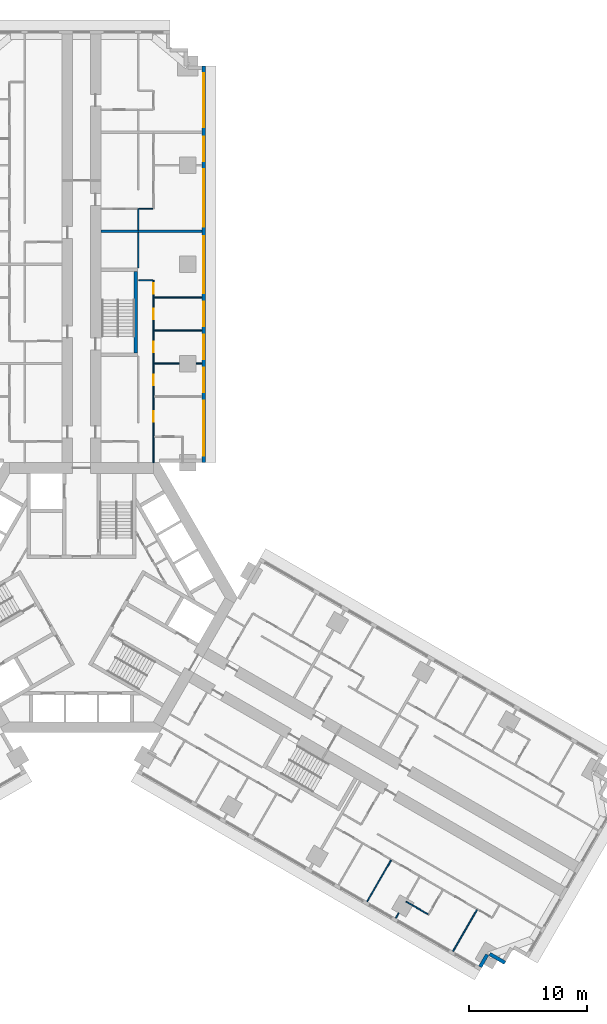
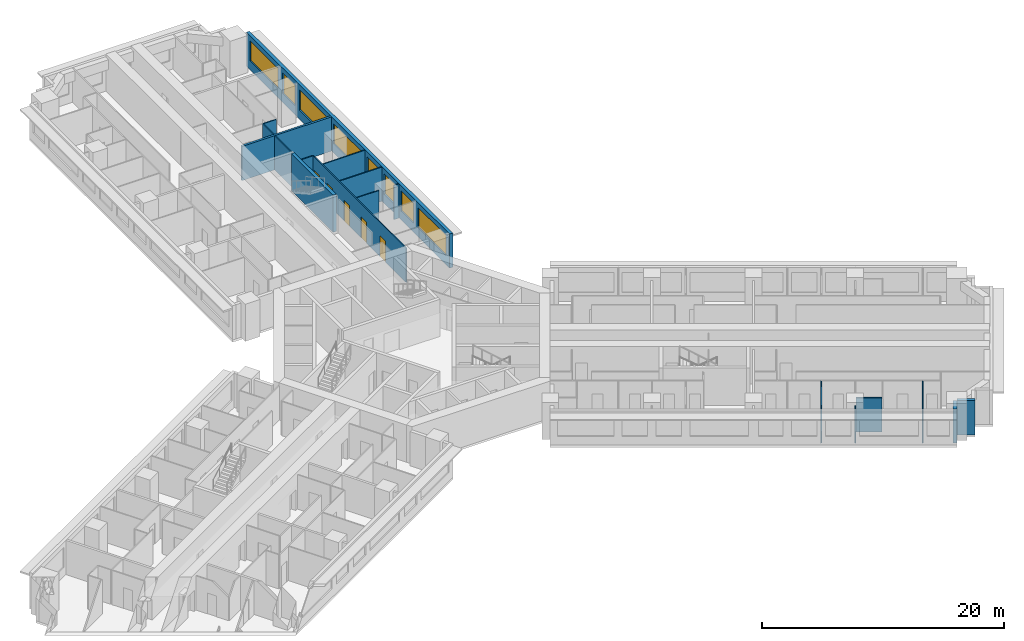
# One storey, part 9 of 14: 18 walls, 8 windows, 5 doors, 13 openings.
"""IFC4 building model written with IfcOpenShell, lengths in metres."""

import ifcopenshell
import ifcopenshell.guid

model = None  # the IFC model being written
_history = None  # IfcOwnerHistory: only IFC2X3 demands one
_inside = {}  # id of a spatial element -> (the spatial element, [elements in it])
_under = {}  # id of a project, library or spatial element -> (it, [spatial elements below it])
_declared = {}  # id of a project -> (the project, [libraries it declares])
_typed = {}  # id of a type object -> (the type object, [elements of that type])
_made_of = {}  # id of a material, layer set ... -> (it, [elements and type objects made of it])


def new_model(schema):
    """Start an empty IFC model of exactly this schema.

    Asked for "IFC4X3", IfcOpenShell would pick the latest addendum, in which some entities
    have other attributes; the version numbers below select the first issue.
    IFC2X3 requires an IfcOwnerHistory on every rooted entity: one is made here for all.
    """
    global model, _history
    if schema == "IFC4X3":
        model = ifcopenshell.file(schema_version=(4, 3, 0, 0))
    else:
        model = ifcopenshell.file(schema=schema)
    _inside.clear()
    _under.clear()
    _declared.clear()
    _typed.clear()
    _made_of.clear()
    _history = None
    if model.schema == "IFC2X3":
        org = make("IfcOrganization", Name="unknown")
        user = make(
            "IfcPersonAndOrganization",
            ThePerson=make("IfcPerson", FamilyName="unknown"),
            TheOrganization=org,
        )
        app = make(
            "IfcApplication",
            ApplicationDeveloper=org,
            Version="unknown",
            ApplicationFullName="unknown",
            ApplicationIdentifier="unknown",
        )
        _history = make(
            "IfcOwnerHistory",
            OwningUser=user,
            OwningApplication=app,
            ChangeAction="ADDED",
            CreationDate=0,
        )
    return model


def make(cls, **values):
    """One entity of the class cls with the attributes given. An attribute that is None is left unset."""
    return model.create_entity(
        cls, **{name: value for name, value in values.items() if value is not None}
    )


def rooted(cls, **values):
    """An entity with a GlobalId (a new one), such as an element, a storey or a relation."""
    return make(cls, GlobalId=ifcopenshell.guid.new(), OwnerHistory=_history, **values)


def si_unit(unit_type, name, prefix=None):
    """IfcSIUnit, for example si_unit("LENGTHUNIT", "METRE", prefix="MILLI")."""
    return make("IfcSIUnit", UnitType=unit_type, Prefix=prefix, Name=name)


def assignment(units):
    """IfcUnitAssignment: the units of a project."""
    return None if units is None else make("IfcUnitAssignment", Units=units)


def point(xyz):
    """IfcCartesianPoint."""
    return None if xyz is None else make("IfcCartesianPoint", Coordinates=xyz)


def direction(xyz):
    """IfcDirection."""
    return None if xyz is None else make("IfcDirection", DirectionRatios=xyz)


def frame(location, z_axis=None, x_axis=None):
    """IfcAxis2Placement3D, a coordinate frame: its origin and axes. An axis left out is left unset."""
    return make(
        "IfcAxis2Placement3D",
        Location=point(location),
        Axis=direction(z_axis),
        RefDirection=direction(x_axis),
    )


def frame_2d(location, x_axis=None):
    """IfcAxis2Placement2D, a coordinate frame in the plane: its origin and x axis."""
    return make(
        "IfcAxis2Placement2D", Location=point(location), RefDirection=direction(x_axis)
    )


def origin():
    """The frame at (0, 0, 0) with its axes left unset."""
    return frame((0.0, 0.0, 0.0))


def place(relative_to, where):
    """IfcLocalPlacement: puts the frame where relative to a parent placement (None: the world)."""
    return make(
        "IfcLocalPlacement", PlacementRelTo=relative_to, RelativePlacement=where
    )


def context(
    kind, dimensions, precision=None, world=None, true_north=None, identifier=None
):
    """IfcGeometricRepresentationContext, for example the 3D "Model" context."""
    return make(
        "IfcGeometricRepresentationContext",
        ContextIdentifier=identifier,
        ContextType=kind,
        CoordinateSpaceDimension=dimensions,
        Precision=precision,
        WorldCoordinateSystem=world,
        TrueNorth=true_north,
    )


def subcontext(parent, identifier, kind, view, scale=None):
    """IfcGeometricRepresentationSubContext, for example "Body" below "Model"."""
    return make(
        "IfcGeometricRepresentationSubContext",
        ContextIdentifier=identifier,
        ContextType=kind,
        ParentContext=parent,
        TargetScale=scale,
        TargetView=view,
    )


def project(units=None, contexts=None):
    """IfcProject with its units and contexts."""
    return rooted(
        "IfcProject",
        Name="project",
        RepresentationContexts=contexts,
        UnitsInContext=assignment(units),
    )


def spatial(cls, under=None, at=None, **own):
    """A site, building, storey or space (cls), placed at a placement, below another one or the project."""
    s = rooted(cls, ObjectPlacement=at, **own)
    if under is not None:
        _under.setdefault(under.id(), (under, []))[1].append(s)
    return s


def profile(cls, at=None, kind="AREA", **sizes):
    """A parametric profile (cls). Its sizes go by their IFC names, for example OverallWidth=200.0."""
    return make(cls, ProfileType=kind, Position=at, **sizes)


def rectangle(**sizes):
    """IfcRectangleProfileDef."""
    return profile("IfcRectangleProfileDef", **sizes)


def extrude(swept, where, along, depth):
    """IfcExtrudedAreaSolid: the profile swept, set in the frame where, extruded along a direction by depth."""
    return make(
        "IfcExtrudedAreaSolid",
        SweptArea=swept,
        Position=where,
        ExtrudedDirection=direction(along),
        Depth=depth,
    )


def shape(context_of_items, identifier, shape_type, items):
    """IfcShapeRepresentation: the items that make up one representation, for example the "Body"."""
    return make(
        "IfcShapeRepresentation",
        ContextOfItems=context_of_items,
        RepresentationIdentifier=identifier,
        RepresentationType=shape_type,
        Items=items,
    )


def material(Name=None, Category=None):
    """IfcMaterial."""
    return make("IfcMaterial", Name=Name, Category=Category)


def layer(
    of_material, thickness, ventilated=None, Name=None, Category=None, Priority=None
):
    """IfcMaterialLayer: one layer of a wall or slab, of a material (None: an air gap)."""
    return make(
        "IfcMaterialLayer",
        Material=of_material,
        LayerThickness=thickness,
        IsVentilated=ventilated,
        Name=Name,
        Category=Category,
        Priority=Priority,
    )


def layer_set(layers, Name=None):
    """IfcMaterialLayerSet."""
    return make("IfcMaterialLayerSet", MaterialLayers=layers, LayerSetName=Name)


def made_of(thing, what):
    """Note that an element or type object is made of a material, layer set ...; save() writes the relation."""
    if what is not None:
        _made_of.setdefault(what.id(), (what, []))[1].append(thing)
    return thing


def type_object(cls, material=None, **own):
    """A type object (cls), such as IfcWallType, which elements share."""
    return made_of(rooted(cls, **own), material)


def element(
    cls,
    number,
    at=None,
    inside=None,
    cuts=None,
    type_object=None,
    material=None,
    context=None,
    identifier="Body",
    shape_type=None,
    held_by="IfcProductDefinitionShape",
    body=None,
    shapes=None,
    **own,
):
    """One element of the class cls, such as IfcWall. Its Tag is "e" and its number.

    at: its placement. inside: the storey or other place that contains it. cuts: it is an
    opening in that element (IfcRelVoidsElement). A single representation is given by context,
    identifier, shape_type and body (its items); several are given by shapes. held_by: the class
    of the entity that holds the representations. save() writes the other relations.
    """
    e = rooted(cls, Tag="e%d" % number, ObjectPlacement=at, **own)
    if body is not None:
        shapes = [shape(context, identifier, shape_type, body)]
    if shapes is not None:
        e.Representation = make(held_by, Representations=shapes)
    if inside is not None:
        _inside.setdefault(inside.id(), (inside, []))[1].append(e)
    if cuts is not None:
        rooted(
            "IfcRelVoidsElement", RelatingBuildingElement=cuts, RelatedOpeningElement=e
        )
    if type_object is not None:
        _typed.setdefault(type_object.id(), (type_object, []))[1].append(e)
    return made_of(e, material)


def fill(opening, filler):
    """IfcRelFillsElement: the door or window that sits in an opening."""
    return rooted(
        "IfcRelFillsElement",
        RelatingOpeningElement=opening,
        RelatedBuildingElement=filler,
    )


def aggregate(whole, parts):
    """IfcRelAggregates: a whole, such as a stair, and the parts it consists of."""
    return rooted("IfcRelAggregates", RelatingObject=whole, RelatedObjects=parts)


def save(model, path):
    """Write the relations noted so far, then the file.

    IfcRelAggregates (storeys below a building ...), IfcRelContainedInSpatialStructure (elements
    in a storey), IfcRelDefinesByType, IfcRelAssociatesMaterial and IfcRelDeclares: one each for
    every whole, place, type object, material and project.
    """
    for whole, parts in _under.values():
        aggregate(whole, parts)
    for where, things in _inside.values():
        rooted(
            "IfcRelContainedInSpatialStructure",
            RelatedElements=things,
            RelatingStructure=where,
        )
    for kind, things in _typed.values():
        rooted("IfcRelDefinesByType", RelatedObjects=things, RelatingType=kind)
    for what, things in _made_of.values():
        rooted("IfcRelAssociatesMaterial", RelatedObjects=things, RelatingMaterial=what)
    for by, libraries in _declared.values():
        rooted("IfcRelDeclares", RelatingContext=by, RelatedDefinitions=libraries)
    model.write(path)


model = new_model("IFC4")

# Units and contexts
model_context = context("Model", 3, precision=1e-05, world=origin(), true_north=direction((0.0, 1.0)))
body_context = subcontext(model_context, "Body", "Model", "MODEL_VIEW")
ifc_project = project(units=[si_unit("LENGTHUNIT", "METRE"), si_unit("AREAUNIT", "SQUARE_METRE"), si_unit("VOLUMEUNIT", "CUBIC_METRE"), si_unit("PLANEANGLEUNIT", "RADIAN"), si_unit("MASSUNIT", "GRAM", prefix="KILO")], contexts=[model_context])

# Site, building, storey
site_placement = place(None, origin())
site = spatial("IfcSite", under=ifc_project, at=site_placement, CompositionType="ELEMENT")
building_placement = place(site_placement, origin())
building = spatial("IfcBuilding", under=site, at=building_placement, Name="Impinga Residences", CompositionType="ELEMENT")
storey_placement = place(building_placement, frame((0.0, 0.0, 89.75)))
storey = spatial("IfcBuildingStorey", under=building, at=storey_placement, Name="L22", CompositionType="ELEMENT", Elevation=89.75)

# Wall, openings, windows
ifc_material_1 = material(Name="Terracotta rainscreen on blockwork", Category="masonry")
ifc_layer_1 = layer(ifc_material_1, 0.300048828125)
ifc_layer_set_1 = layer_set([ifc_layer_1], Name="EW1 external wall, terracotta rainscreen on blockwork 300")
wall_type_1 = type_object("IfcWallType", Name="EW1 external wall, terracotta rainscreen on blockwork 300", PredefinedType="SOLIDWALL", material=ifc_layer_set_1)
wall_1_placement = place(storey_placement, frame((10.35009765625, 45.031494140625, 0.0), z_axis=(0.0, 0.0, 1.0), x_axis=(0.0, -1.0, 0.0)))
wall_1 = element("IfcWall", 1, at=wall_1_placement, inside=storey, type_object=wall_type_1, Name="External wall EW1 L22", PredefinedType="SOLIDWALL", context=body_context, shape_type="SweptSolid", body=[
    extrude(rectangle(XDim=33.599853515625, YDim=0.300048828125, at=frame_2d((16.7998046875, 0.0))), origin(), (0.0, 0.0, 1.0), 3.449951171875),
])
opening_1_placement = place(wall_1_placement, frame((0.60009765625, 0.0, 0.89990234375)))
opening_1 = element("IfcOpeningElement", 2, at=opening_1_placement, cuts=wall_1, Name="Opening W3", PredefinedType="OPENING", context=body_context, shape_type="SweptSolid", body=[
    extrude(rectangle(XDim=4.60009765625, YDim=2.050048828125, at=frame_2d((2.300048828125, 1.02490234375))), frame((0.0, 0.159912109375, 0.0), z_axis=(0.0, -1.0, 0.0), x_axis=(1.0, 0.0, 0.0)), (0.0, 0.0, 1.0), 0.320068359375),
])
opening_2_placement = place(wall_1_placement, frame((6.0, 0.0, 0.89990234375)))
opening_2 = element("IfcOpeningElement", 3, at=opening_2_placement, cuts=wall_1, Name="Opening W14", PredefinedType="OPENING", context=body_context, shape_type="SweptSolid", body=[
    extrude(rectangle(XDim=2.050048828125, YDim=2.050048828125, at=frame_2d((1.02490234375, 1.02490234375))), frame((0.0, 0.159912109375, 0.0), z_axis=(0.0, -1.0, 0.0), x_axis=(1.0, 0.0, 0.0)), (0.0, 0.0, 1.0), 0.320068359375),
])
opening_3_placement = place(wall_1_placement, frame((8.75, 0.0, 0.89990234375)))
opening_3 = element("IfcOpeningElement", 4, at=opening_3_placement, cuts=wall_1, Name="Opening W6", PredefinedType="OPENING", context=body_context, shape_type="SweptSolid", body=[
    extrude(rectangle(XDim=4.85009765625, YDim=2.050048828125, at=frame_2d((2.425048828125, 1.02490234375))), frame((0.0, 0.159912109375, 0.0), z_axis=(0.0, -1.0, 0.0), x_axis=(1.0, 0.0, 0.0)), (0.0, 0.0, 1.0), 0.320068359375),
])
opening_4_placement = place(wall_1_placement, frame((14.39990234375, 0.0, 0.89990234375)))
opening_4 = element("IfcOpeningElement", 5, at=opening_4_placement, cuts=wall_1, Name="Opening W6", PredefinedType="OPENING", context=body_context, shape_type="SweptSolid", body=[
    extrude(rectangle(XDim=4.85009765625, YDim=2.050048828125, at=frame_2d((2.425048828125, 1.02490234375))), frame((0.0, 0.159912109375, 0.0), z_axis=(0.0, -1.0, 0.0), x_axis=(1.0, 0.0, 0.0)), (0.0, 0.0, 1.0), 0.320068359375),
])
opening_5_placement = place(wall_1_placement, frame((19.949951171875, 0.0, 0.89990234375)))
opening_5 = element("IfcOpeningElement", 6, at=opening_5_placement, cuts=wall_1, Name="Opening W9", PredefinedType="OPENING", context=body_context, shape_type="SweptSolid", body=[
    extrude(rectangle(XDim=2.10009765625, YDim=2.050048828125, at=frame_2d((1.050048828125, 1.02490234375))), frame((0.0, 0.159912109375, 0.0), z_axis=(0.0, -1.0, 0.0), x_axis=(1.0, 0.0, 0.0)), (0.0, 0.0, 1.0), 0.320068359375),
])
opening_6_placement = place(wall_1_placement, frame((22.75, 0.0, 0.89990234375)))
opening_6 = element("IfcOpeningElement", 7, at=opening_6_placement, cuts=wall_1, Name="Opening W9", PredefinedType="OPENING", context=body_context, shape_type="SweptSolid", body=[
    extrude(rectangle(XDim=2.10009765625, YDim=2.050048828125, at=frame_2d((1.050048828125, 1.02490234375))), frame((0.0, 0.159912109375, 0.0), z_axis=(0.0, -1.0, 0.0), x_axis=(1.0, 0.0, 0.0)), (0.0, 0.0, 1.0), 0.320068359375),
])
opening_7_placement = place(wall_1_placement, frame((25.550048828125, 0.0, 0.89990234375)))
opening_7 = element("IfcOpeningElement", 8, at=opening_7_placement, cuts=wall_1, Name="Opening W9", PredefinedType="OPENING", context=body_context, shape_type="SweptSolid", body=[
    extrude(rectangle(XDim=2.10009765625, YDim=2.050048828125, at=frame_2d((1.050048828125, 1.02490234375))), frame((0.0, 0.159912109375, 0.0), z_axis=(0.0, -1.0, 0.0), x_axis=(1.0, 0.0, 0.0)), (0.0, 0.0, 1.0), 0.320068359375),
])
opening_8_placement = place(wall_1_placement, frame((28.35009765625, 0.0, 0.89990234375)))
opening_8 = element("IfcOpeningElement", 9, at=opening_8_placement, cuts=wall_1, Name="Opening W10", PredefinedType="OPENING", context=body_context, shape_type="SweptSolid", body=[
    extrude(rectangle(XDim=4.64990234375, YDim=2.050048828125, at=frame_2d((2.324951171875, 1.02490234375))), frame((0.0, 0.159912109375, 0.0), z_axis=(0.0, -1.0, 0.0), x_axis=(1.0, 0.0, 0.0)), (0.0, 0.0, 1.0), 0.320068359375),
])
ifc_material_2 = material(Name="Aluminium window, clear double glazing", Category="aluminium")
window_type_1 = type_object("IfcWindowType", Name="W10 ribbon window 4650x2050", PartitioningType="SINGLE_PANEL", PredefinedType="WINDOW", material=ifc_material_2)
window_1_placement = place(opening_8_placement, origin())
window_1 = element("IfcWindow", 10, at=window_1_placement, inside=storey, type_object=window_type_1, Name="Window L22", OverallHeight=2.050048828125, OverallWidth=4.64990234375, PartitioningType="SINGLE_PANEL", PredefinedType="WINDOW", context=body_context, shape_type="SweptSolid", body=[
    extrude(rectangle(XDim=4.64990234375, YDim=2.050048828125, at=frame_2d((2.324951171875, 1.02490234375))), frame((0.0, 0.030029296875, 0.0), z_axis=(0.0, -1.0, 0.0), x_axis=(1.0, 0.0, 0.0)), (0.0, 0.0, 1.0), 0.06005859375),
])
fill(opening_8, window_1)
window_type_2 = type_object("IfcWindowType", Name="W14 ribbon window 2050x2050", PartitioningType="SINGLE_PANEL", PredefinedType="WINDOW", material=ifc_material_2)
window_2_placement = place(opening_2_placement, origin())
window_2 = element("IfcWindow", 11, at=window_2_placement, inside=storey, type_object=window_type_2, Name="Window L22", OverallHeight=2.050048828125, OverallWidth=2.050048828125, PartitioningType="SINGLE_PANEL", PredefinedType="WINDOW", context=body_context, shape_type="SweptSolid", body=[
    extrude(rectangle(XDim=2.050048828125, YDim=2.050048828125, at=frame_2d((1.02490234375, 1.02490234375))), frame((0.0, 0.030029296875, 0.0), z_axis=(0.0, -1.0, 0.0), x_axis=(1.0, 0.0, 0.0)), (0.0, 0.0, 1.0), 0.06005859375),
])
fill(opening_2, window_2)
window_type_3 = type_object("IfcWindowType", Name="W3 ribbon window 4600x2050", PartitioningType="SINGLE_PANEL", PredefinedType="WINDOW", material=ifc_material_2)
window_3_placement = place(opening_1_placement, origin())
window_3 = element("IfcWindow", 12, at=window_3_placement, inside=storey, type_object=window_type_3, Name="Window L22", OverallHeight=2.050048828125, OverallWidth=4.60009765625, PartitioningType="SINGLE_PANEL", PredefinedType="WINDOW", context=body_context, shape_type="SweptSolid", body=[
    extrude(rectangle(XDim=4.60009765625, YDim=2.050048828125, at=frame_2d((2.300048828125, 1.02490234375))), frame((0.0, 0.030029296875, 0.0), z_axis=(0.0, -1.0, 0.0), x_axis=(1.0, 0.0, 0.0)), (0.0, 0.0, 1.0), 0.06005859375),
])
fill(opening_1, window_3)
window_type_4 = type_object("IfcWindowType", Name="W6 ribbon window 4850x2050", PartitioningType="SINGLE_PANEL", PredefinedType="WINDOW", material=ifc_material_2)
window_4_placement = place(opening_3_placement, origin())
window_4 = element("IfcWindow", 13, at=window_4_placement, inside=storey, type_object=window_type_4, Name="Window L22", OverallHeight=2.050048828125, OverallWidth=4.85009765625, PartitioningType="SINGLE_PANEL", PredefinedType="WINDOW", context=body_context, shape_type="SweptSolid", body=[
    extrude(rectangle(XDim=4.85009765625, YDim=2.050048828125, at=frame_2d((2.425048828125, 1.02490234375))), frame((0.0, 0.030029296875, 0.0), z_axis=(0.0, -1.0, 0.0), x_axis=(1.0, 0.0, 0.0)), (0.0, 0.0, 1.0), 0.06005859375),
])
fill(opening_3, window_4)
window_5_placement = place(opening_4_placement, origin())
window_5 = element("IfcWindow", 14, at=window_5_placement, inside=storey, type_object=window_type_4, Name="Window L22", OverallHeight=2.050048828125, OverallWidth=4.85009765625, PartitioningType="SINGLE_PANEL", PredefinedType="WINDOW", context=body_context, shape_type="SweptSolid", body=[
    extrude(rectangle(XDim=4.85009765625, YDim=2.050048828125, at=frame_2d((2.425048828125, 1.02490234375))), frame((0.0, 0.030029296875, 0.0), z_axis=(0.0, -1.0, 0.0), x_axis=(1.0, 0.0, 0.0)), (0.0, 0.0, 1.0), 0.06005859375),
])
fill(opening_4, window_5)
window_type_5 = type_object("IfcWindowType", Name="W9 ribbon window 2100x2050", PartitioningType="SINGLE_PANEL", PredefinedType="WINDOW", material=ifc_material_2)
window_6_placement = place(opening_5_placement, origin())
window_6 = element("IfcWindow", 15, at=window_6_placement, inside=storey, type_object=window_type_5, Name="Window L22", OverallHeight=2.050048828125, OverallWidth=2.10009765625, PartitioningType="SINGLE_PANEL", PredefinedType="WINDOW", context=body_context, shape_type="SweptSolid", body=[
    extrude(rectangle(XDim=2.10009765625, YDim=2.050048828125, at=frame_2d((1.050048828125, 1.02490234375))), frame((0.0, 0.030029296875, 0.0), z_axis=(0.0, -1.0, 0.0), x_axis=(1.0, 0.0, 0.0)), (0.0, 0.0, 1.0), 0.06005859375),
])
fill(opening_5, window_6)
window_7_placement = place(opening_6_placement, origin())
window_7 = element("IfcWindow", 16, at=window_7_placement, inside=storey, type_object=window_type_5, Name="Window L22", OverallHeight=2.050048828125, OverallWidth=2.10009765625, PartitioningType="SINGLE_PANEL", PredefinedType="WINDOW", context=body_context, shape_type="SweptSolid", body=[
    extrude(rectangle(XDim=2.10009765625, YDim=2.050048828125, at=frame_2d((1.050048828125, 1.02490234375))), frame((0.0, 0.030029296875, 0.0), z_axis=(0.0, -1.0, 0.0), x_axis=(1.0, 0.0, 0.0)), (0.0, 0.0, 1.0), 0.06005859375),
])
fill(opening_6, window_7)
window_8_placement = place(opening_7_placement, origin())
window_8 = element("IfcWindow", 17, at=window_8_placement, inside=storey, type_object=window_type_5, Name="Window L22", OverallHeight=2.050048828125, OverallWidth=2.10009765625, PartitioningType="SINGLE_PANEL", PredefinedType="WINDOW", context=body_context, shape_type="SweptSolid", body=[
    extrude(rectangle(XDim=2.10009765625, YDim=2.050048828125, at=frame_2d((1.050048828125, 1.02490234375))), frame((0.0, 0.030029296875, 0.0), z_axis=(0.0, -1.0, 0.0), x_axis=(1.0, 0.0, 0.0)), (0.0, 0.0, 1.0), 0.06005859375),
])
fill(opening_7, window_8)

# Walls
wall_2_placement = place(storey_placement, frame((35.87255859375, -30.93017578125, 0.0), z_axis=(0.0, 0.0, 1.0), x_axis=(-0.866031096941, 0.499990139034, 0.0)))
element("IfcWall", 18, at=wall_2_placement, inside=storey, type_object=wall_type_1, Name="External wall EW1 L22", PredefinedType="SOLIDWALL", context=body_context, shape_type="SweptSolid", body=[
    extrude(rectangle(XDim=1.5, YDim=0.300048828125, at=frame_2d((0.75, 0.0))), origin(), (0.0, 0.0, 1.0), 3.449951171875),
])
wall_3_placement = place(storey_placement, frame((34.365966796875, -30.2392578125, 0.0), z_axis=(0.0, 0.0, 1.0), x_axis=(-0.499940577336, -0.866059708757, 0.0)))
element("IfcWall", 19, at=wall_3_placement, inside=storey, type_object=wall_type_1, Name="External wall EW1 L22", PredefinedType="SOLIDWALL", context=body_context, shape_type="SweptSolid", body=[
    extrude(rectangle(XDim=1.195068359375, YDim=0.300048828125, at=frame_2d((0.59765625, 0.0))), origin(), (0.0, 0.0, 1.0), 3.449951171875),
])
ifc_material_3 = material(Name="Gypsum board on steel studs", Category="steel")
ifc_layer_2 = layer(ifc_material_3, 0.10009765625)
ifc_layer_set_2 = layer_set([ifc_layer_2], Name="Gypsum board on steel studs")
wall_type_2 = type_object("IfcWallType", Name="IP1 partition 100", PredefinedType="PARTITIONING", material=ifc_layer_set_2)
wall_4_placement = place(storey_placement, frame((4.800048828125, 27.931640625, 0.0), z_axis=(0.0, 0.0, 1.0), x_axis=(0.0, 1.0, 0.0)))
element("IfcWall", 20, at=wall_4_placement, inside=storey, type_object=wall_type_2, Name="Partition L22-NF1:DIV2", PredefinedType="PARTITIONING", context=body_context, shape_type="SweptSolid", body=[
    extrude(rectangle(XDim=3.0, YDim=0.10009765625, at=frame_2d((1.5, 0.0))), origin(), (0.0, 0.0, 1.0), 3.449951171875),
])

# Wall, openings, doors
wall_5_placement = place(storey_placement, frame((6.10009765625, 11.431640625, 0.0), z_axis=(0.0, 0.0, 1.0), x_axis=(0.0, 1.0, 0.0)))
wall_5 = element("IfcWall", 21, at=wall_5_placement, inside=storey, type_object=wall_type_2, Name="Partition L22-NF1:STRIP", PredefinedType="PARTITIONING", context=body_context, shape_type="SweptSolid", body=[
    extrude(rectangle(XDim=15.449951171875, YDim=0.10009765625, at=frame_2d((7.72509765625, 0.0))), origin(), (0.0, 0.0, 1.0), 3.449951171875),
])
opening_9_placement = place(wall_5_placement, frame((3.449951171875, 0.0, 0.0)))
opening_9 = element("IfcOpeningElement", 22, at=opening_9_placement, cuts=wall_5, Name="Opening D2", PredefinedType="OPENING", context=body_context, shape_type="SweptSolid", body=[
    extrude(rectangle(XDim=0.89990234375, YDim=2.10009765625, at=frame_2d((0.449951171875, 1.050048828125))), frame((0.0, 0.06005859375, 0.0), z_axis=(0.0, -1.0, 0.0), x_axis=(1.0, 0.0, 0.0)), (0.0, 0.0, 1.0), 0.1201171875),
])
opening_10_placement = place(wall_5_placement, frame((6.550048828125, 0.0, 0.0)))
opening_10 = element("IfcOpeningElement", 23, at=opening_10_placement, cuts=wall_5, Name="Opening D2", PredefinedType="OPENING", context=body_context, shape_type="SweptSolid", body=[
    extrude(rectangle(XDim=0.89990234375, YDim=2.10009765625, at=frame_2d((0.449951171875, 1.050048828125))), frame((0.0, 0.06005859375, 0.0), z_axis=(0.0, -1.0, 0.0), x_axis=(1.0, 0.0, 0.0)), (0.0, 0.0, 1.0), 0.1201171875),
])
opening_11_placement = place(wall_5_placement, frame((9.35009765625, 0.0, 0.0)))
opening_11 = element("IfcOpeningElement", 24, at=opening_11_placement, cuts=wall_5, Name="Opening D2", PredefinedType="OPENING", context=body_context, shape_type="SweptSolid", body=[
    extrude(rectangle(XDim=0.89990234375, YDim=2.10009765625, at=frame_2d((0.449951171875, 1.050048828125))), frame((0.0, 0.06005859375, 0.0), z_axis=(0.0, -1.0, 0.0), x_axis=(1.0, 0.0, 0.0)), (0.0, 0.0, 1.0), 0.1201171875),
])
opening_12_placement = place(wall_5_placement, frame((12.14990234375, 0.0, 0.0)))
opening_12 = element("IfcOpeningElement", 25, at=opening_12_placement, cuts=wall_5, Name="Opening D2", PredefinedType="OPENING", context=body_context, shape_type="SweptSolid", body=[
    extrude(rectangle(XDim=0.89990234375, YDim=2.10009765625, at=frame_2d((0.449951171875, 1.050048828125))), frame((0.0, 0.06005859375, 0.0), z_axis=(0.0, -1.0, 0.0), x_axis=(1.0, 0.0, 0.0)), (0.0, 0.0, 1.0), 0.1201171875),
])
opening_13_placement = place(wall_5_placement, frame((14.300048828125, 0.0, 0.0)))
opening_13 = element("IfcOpeningElement", 26, at=opening_13_placement, cuts=wall_5, Name="Opening D2", PredefinedType="OPENING", context=body_context, shape_type="SweptSolid", body=[
    extrude(rectangle(XDim=0.89990234375, YDim=2.10009765625, at=frame_2d((0.449951171875, 1.050048828125))), frame((0.0, 0.06005859375, 0.0), z_axis=(0.0, -1.0, 0.0), x_axis=(1.0, 0.0, 0.0)), (0.0, 0.0, 1.0), 0.1201171875),
])
ifc_material_4 = material(Name="Timber door set", Category="wood")
door_type = type_object("IfcDoorType", Name="D2 internal door 900x2100", OperationType="SINGLE_SWING_LEFT", PredefinedType="DOOR", material=ifc_material_4)
door_1_placement = place(opening_9_placement, origin())
door_1 = element("IfcDoor", 27, at=door_1_placement, inside=storey, type_object=door_type, Name="Apartment L22-NF1 room door", OperationType="SINGLE_SWING_LEFT", OverallHeight=2.10009765625, OverallWidth=0.89990234375, PredefinedType="DOOR", context=body_context, shape_type="SweptSolid", body=[
    extrude(rectangle(XDim=0.89990234375, YDim=2.10009765625, at=frame_2d((0.449951171875, 1.050048828125))), frame((0.0, 0.02490234375, 0.0), z_axis=(0.0, -1.0, 0.0), x_axis=(1.0, 0.0, 0.0)), (0.0, 0.0, 1.0), 0.050048828125),
])
fill(opening_9, door_1)
door_2_placement = place(opening_10_placement, origin())
door_2 = element("IfcDoor", 28, at=door_2_placement, inside=storey, type_object=door_type, Name="Apartment L22-NF1 room door", OperationType="SINGLE_SWING_LEFT", OverallHeight=2.10009765625, OverallWidth=0.89990234375, PredefinedType="DOOR", context=body_context, shape_type="SweptSolid", body=[
    extrude(rectangle(XDim=0.89990234375, YDim=2.10009765625, at=frame_2d((0.449951171875, 1.050048828125))), frame((0.0, 0.02490234375, 0.0), z_axis=(0.0, -1.0, 0.0), x_axis=(1.0, 0.0, 0.0)), (0.0, 0.0, 1.0), 0.050048828125),
])
fill(opening_10, door_2)
door_3_placement = place(opening_11_placement, origin())
door_3 = element("IfcDoor", 29, at=door_3_placement, inside=storey, type_object=door_type, Name="Apartment L22-NF1 room door", OperationType="SINGLE_SWING_RIGHT", OverallHeight=2.10009765625, OverallWidth=0.89990234375, PredefinedType="DOOR", context=body_context, shape_type="SweptSolid", body=[
    extrude(rectangle(XDim=0.89990234375, YDim=2.10009765625, at=frame_2d((0.449951171875, 1.050048828125))), frame((0.0, 0.02490234375, 0.0), z_axis=(0.0, -1.0, 0.0), x_axis=(1.0, 0.0, 0.0)), (0.0, 0.0, 1.0), 0.050048828125),
])
fill(opening_11, door_3)
door_4_placement = place(opening_12_placement, origin())
door_4 = element("IfcDoor", 30, at=door_4_placement, inside=storey, type_object=door_type, Name="Apartment L22-NF1 room door", OperationType="SINGLE_SWING_RIGHT", OverallHeight=2.10009765625, OverallWidth=0.89990234375, PredefinedType="DOOR", context=body_context, shape_type="SweptSolid", body=[
    extrude(rectangle(XDim=0.89990234375, YDim=2.10009765625, at=frame_2d((0.449951171875, 1.050048828125))), frame((0.0, 0.02490234375, 0.0), z_axis=(0.0, -1.0, 0.0), x_axis=(1.0, 0.0, 0.0)), (0.0, 0.0, 1.0), 0.050048828125),
])
fill(opening_12, door_4)
door_5_placement = place(opening_13_placement, origin())
door_5 = element("IfcDoor", 31, at=door_5_placement, inside=storey, type_object=door_type, Name="Apartment L22-NF1 room door", OperationType="SINGLE_SWING_RIGHT", OverallHeight=2.10009765625, OverallWidth=0.89990234375, PredefinedType="DOOR", context=body_context, shape_type="SweptSolid", body=[
    extrude(rectangle(XDim=0.89990234375, YDim=2.10009765625, at=frame_2d((0.449951171875, 1.050048828125))), frame((0.0, 0.02490234375, 0.0), z_axis=(0.0, -1.0, 0.0), x_axis=(1.0, 0.0, 0.0)), (0.0, 0.0, 1.0), 0.050048828125),
])
fill(opening_13, door_5)

# Walls
wall_6_placement = place(storey_placement, frame((4.85009765625, 26.881591796875, 0.0), z_axis=(0.0, 0.0, 1.0), x_axis=(1.0, 0.0, 0.0)))
element("IfcWall", 32, at=wall_6_placement, inside=storey, type_object=wall_type_2, Name="Partition L22-NF1:SE1", PredefinedType="PARTITIONING", context=body_context, shape_type="SweptSolid", body=[
    extrude(rectangle(XDim=1.199951171875, YDim=0.10009765625, at=frame_2d((0.60009765625, 0.0))), origin(), (0.0, 0.0, 1.0), 3.449951171875),
])
wall_7_placement = place(storey_placement, frame((6.14990234375, 19.83154296875, 0.0), z_axis=(0.0, 0.0, 1.0), x_axis=(1.0, 0.0, 0.0)))
element("IfcWall", 33, at=wall_7_placement, inside=storey, type_object=wall_type_2, Name="Partition L22-NF1:OB2", PredefinedType="PARTITIONING", context=body_context, shape_type="SweptSolid", body=[
    extrude(rectangle(XDim=2.150146484375, YDim=0.10009765625, at=frame_2d((1.0751953125, 0.0))), origin(), (0.0, 0.0, 1.0), 3.449951171875),
])
wall_8_placement = place(storey_placement, frame((9.699951171875, 19.83154296875, 0.0), z_axis=(0.0, 0.0, 1.0), x_axis=(1.0, 0.0, 0.0)))
element("IfcWall", 34, at=wall_8_placement, inside=storey, type_object=wall_type_2, Name="Partition L22-NF1:OB2b", PredefinedType="PARTITIONING", context=body_context, shape_type="SweptSolid", body=[
    extrude(rectangle(XDim=0.5, YDim=0.10009765625, at=frame_2d((0.25, 0.0))), origin(), (0.0, 0.0, 1.0), 3.449951171875),
])
for number, where, z_axis, x_axis, name in (
    (35, (6.14990234375, 22.631591796875, 0.0), (0.0, 0.0, 1.0), (1.0, 0.0, 0.0), "Partition L22-NF1:OB3"),
    (36, (6.14990234375, 25.431640625, 0.0), (0.0, 0.0, 1.0), (1.0, 0.0, 0.0), "Partition L22-NF1:OB4"),
):
    element("IfcWall", number, at=place(storey_placement, frame(where, z_axis=z_axis, x_axis=x_axis)), inside=storey, type_object=wall_type_2, Name=name, PredefinedType="PARTITIONING", context=body_context, shape_type="SweptSolid", body=[
        extrude(rectangle(XDim=4.050048828125, YDim=0.10009765625, at=frame_2d((2.02490234375, 0.0))), origin(), (0.0, 0.0, 1.0), 3.449951171875),
    ])
wall_9_placement = place(storey_placement, frame((4.800048828125, 31.131591796875, 0.0), z_axis=(0.0, 0.0, 1.0), x_axis=(0.0, 1.0, 0.0)))
element("IfcWall", 37, at=wall_9_placement, inside=storey, type_object=wall_type_2, Name="Partition L22-NF2:DIV0", PredefinedType="PARTITIONING", context=body_context, shape_type="SweptSolid", body=[
    extrude(rectangle(XDim=1.800048828125, YDim=0.10009765625, at=frame_2d((0.89990234375, 0.0))), origin(), (0.0, 0.0, 1.0), 3.449951171875),
])
wall_10_placement = place(storey_placement, frame((4.85009765625, 32.931640625, 0.0), z_axis=(0.0, 0.0, 1.0), x_axis=(1.0, 0.0, 0.0)))
element("IfcWall", 38, at=wall_10_placement, inside=storey, type_object=wall_type_2, Name="Partition L22-NF2:SE0", PredefinedType="PARTITIONING", context=body_context, shape_type="SweptSolid", body=[
    extrude(rectangle(XDim=1.199951171875, YDim=0.10009765625, at=frame_2d((0.60009765625, 0.0))), origin(), (0.0, 0.0, 1.0), 3.449951171875),
])
wall_11_placement = place(storey_placement, frame((26.223876953125, -22.241943359375, 0.0), z_axis=(0.0, 0.0, 1.0), x_axis=(-0.499990325971, -0.866030989016, 0.0)))
element("IfcWall", 39, at=wall_11_placement, inside=storey, type_object=wall_type_2, Name="Partition L22-EF2:OB2", PredefinedType="PARTITIONING", context=body_context, shape_type="SweptSolid", body=[
    extrude(rectangle(XDim=4.0498046875, YDim=0.10009765625, at=frame_2d((2.02490234375, 0.0))), origin(), (0.0, 0.0, 1.0), 3.449951171875),
])
wall_12_placement = place(storey_placement, frame((26.873779296875, -26.71630859375, 0.0), z_axis=(0.0, 0.0, 1.0), x_axis=(-0.500131122175, -0.865949687125, 0.0)))
element("IfcWall", 40, at=wall_12_placement, inside=storey, type_object=wall_type_2, Name="Partition L22-EF2:OB3b", PredefinedType="PARTITIONING", context=body_context, shape_type="SweptSolid", body=[
    extrude(rectangle(XDim=0.499755859375, YDim=0.10009765625, at=frame_2d((0.25, 0.0))), origin(), (0.0, 0.0, 1.0), 3.449951171875),
])
wall_13_placement = place(storey_placement, frame((33.49853515625, -26.44189453125, 0.0), z_axis=(0.0, 0.0, 1.0), x_axis=(-0.499990325971, -0.866030989016, 0.0)))
element("IfcWall", 41, at=wall_13_placement, inside=storey, type_object=wall_type_2, Name="Partition L22-EF2:OB4", PredefinedType="PARTITIONING", context=body_context, shape_type="SweptSolid", body=[
    extrude(rectangle(XDim=4.0498046875, YDim=0.10009765625, at=frame_2d((2.02490234375, 0.0))), origin(), (0.0, 0.0, 1.0), 3.449951171875),
])
wall_14_placement = place(storey_placement, frame((27.4921875, -25.745361328125, 0.0), z_axis=(0.0, 0.0, 1.0), x_axis=(0.866019166195, -0.500010803666, 0.0)))
element("IfcWall", 42, at=wall_14_placement, inside=storey, type_object=wall_type_2, Name="Partition L22-EF2:EN2", PredefinedType="PARTITIONING", context=body_context, shape_type="SweptSolid", body=[
    extrude(rectangle(XDim=2.14990234375, YDim=0.10009765625, at=frame_2d((1.074951171875, 0.0))), origin(), (0.0, 0.0, 1.0), 3.449951171875),
])
ifc_material_5 = material(Name="Concrete blockwork", Category="masonry")
ifc_layer_3 = layer(ifc_material_5, 0.199951171875)
ifc_layer_set_3 = layer_set([ifc_layer_3], Name="PW1 party wall between apartments 200")
wall_type_3 = type_object("IfcWallType", Name="PW1 party wall between apartments 200", PredefinedType="SOLIDWALL", material=ifc_layer_set_3)
wall_15_placement = place(storey_placement, frame((1.64990234375, 31.031494140625, 0.0), z_axis=(0.0, 0.0, 1.0), x_axis=(1.0, 0.0, 0.0)))
element("IfcWall", 43, at=wall_15_placement, inside=storey, type_object=wall_type_3, Name="Party wall between apartments L22-NF1:PARTY", PredefinedType="SOLIDWALL", context=body_context, shape_type="SweptSolid", body=[
    extrude(rectangle(XDim=8.550048828125, YDim=0.199951171875, at=frame_2d((4.27490234375, 0.0))), origin(), (0.0, 0.0, 1.0), 3.449951171875),
])
ifc_material_6 = material(Name="Concrete C60/75", Category="concrete")
ifc_layer_4 = layer(ifc_material_6, 0.300048828125)
ifc_layer_set_4 = layer_set([ifc_layer_4], Name="Concrete C60/75")
wall_type_4 = type_object("IfcWallType", Name="SE1 wing stair enclosure wall 300", PredefinedType="SOLIDWALL", material=ifc_layer_set_4)
wall_16_placement = place(storey_placement, frame((4.60009765625, 20.7314453125, 0.0), z_axis=(0.0, 0.0, 1.0), x_axis=(0.0, 1.0, 0.0)))
element("IfcWall", 44, at=wall_16_placement, inside=storey, type_object=wall_type_4, Name="Stair enclosure wall SE1 N OUT L22", PredefinedType="SOLIDWALL", context=body_context, shape_type="SweptSolid", body=[
    extrude(rectangle(XDim=6.900146484375, YDim=0.300048828125, at=frame_2d((3.4501953125, 0.0))), origin(), (0.0, 0.0, 1.0), 3.75),
])

save(model, "model.ifc")
